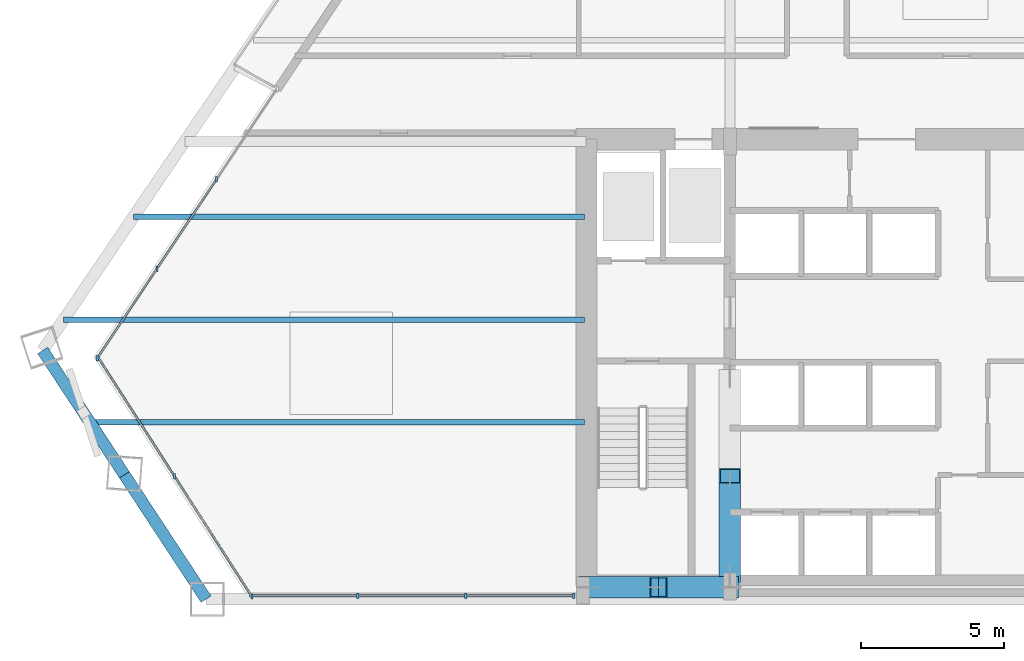
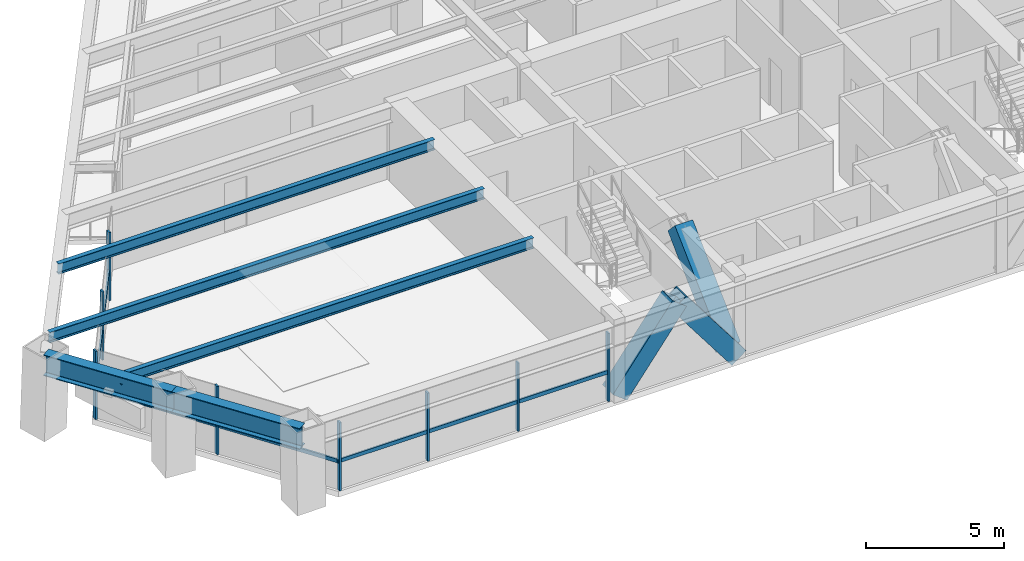
# One storey, part 2 of 15: 18 members, 5 beams, 3 elements without a shape of their own.
"""IFC4 building model written with IfcOpenShell, lengths in metres."""

from ifc_helpers import new_model, si_unit, direction, frame, origin, origin_2d, place, context, subcontext, project, spatial, rectangle, hollow_rectangle, i_section, extrude, source, transform, mapped, material, material_profile, profile_set, type_object, type_shapes, element, aggregate, save


model = new_model("IFC4")

# Units and contexts
model_context = context("Model", 3, precision=1e-05, world=origin(), true_north=direction((0.0, 1.0)))
body_context = subcontext(model_context, "Body", "Model", "MODEL_VIEW")
ifc_project = project(units=[si_unit("LENGTHUNIT", "METRE"), si_unit("AREAUNIT", "SQUARE_METRE"), si_unit("VOLUMEUNIT", "CUBIC_METRE"), si_unit("PLANEANGLEUNIT", "RADIAN"), si_unit("MASSUNIT", "GRAM", prefix="KILO")], contexts=[model_context])

# Site, building, storey
site_placement = place(None, origin())
site = spatial("IfcSite", under=ifc_project, at=site_placement, CompositionType="ELEMENT")
building_placement = place(site_placement, origin())
building = spatial("IfcBuilding", under=site, at=building_placement, Name="Varnakhor Terracotta Tower", CompositionType="ELEMENT")
storey_placement = place(building_placement, frame((0.0, 0.0, 109.89990234375)))
storey = spatial("IfcBuildingStorey", under=building, at=storey_placement, Name="L27", CompositionType="ELEMENT", Elevation=109.89990234375)

# Members
ifc_material_1 = material(Name="Steel S460", Category="steel")
ifc_material_profile_1 = material_profile(ifc_material_1, hollow_rectangle(XDim=0.75, YDim=0.75, WallThickness=0.044921875, at=origin_2d()), Name="HSS750X750X45")
ifc_profile_set_1 = profile_set([ifc_material_profile_1], Name="Steel S460")
member_type_1 = type_object("IfcMemberType", Name="MBR-MEGA-750", PredefinedType="BRACE", material=ifc_profile_set_1)
shared_shape_1 = source(origin(), body_context, "Body", "SweptSolid", [
    extrude(hollow_rectangle(XDim=0.75, YDim=0.75, WallThickness=0.044921875, at=origin_2d()), origin(), (0.0, 0.0, 1.0), 4.14013671875),
])
type_shapes(member_type_1, [shared_shape_1])
for number, where, z_axis, x_axis, name in (
    (1, (-10.5, 0.419921875, 0.0), (0.603852011179, 0.0, 0.797096448741), (0.0, 1.0, 0.0), "L27 Core Coupled Brace CSWA"),
    (2, (-5.5, 0.419921875, 0.0), (-0.603852011179, 0.0, 0.797096448741), (0.0, -1.0, 0.0), "L27 Core Coupled Brace CSWB"),
):
    element("IfcMember", number, at=place(storey_placement, frame(where, z_axis=z_axis, x_axis=x_axis)), inside=storey, type_object=member_type_1, Name=name, PredefinedType="BRACE", context=body_context, shape_type="MappedRepresentation", body=[
        mapped(shared_shape_1, transform((0.0, 0.0, 0.0), scale=1.0)),
    ])
shared_shape_2 = source(origin(), body_context, "Body", "SweptSolid", [
    extrude(hollow_rectangle(XDim=0.75, YDim=0.75, WallThickness=0.044921875, at=origin_2d()), origin(), (0.0, 0.0, 1.0), 4.792236328125),
])
member_1_placement = place(storey_placement, frame((-5.5, 0.85009765625, 0.0), z_axis=(0.0, 0.725110085518, 0.688632967466), x_axis=(-1.0, 0.0, 0.0)))
element("IfcMember", 3, at=member_1_placement, inside=storey, type_object=member_type_1, Name="L27 Core Coupled Brace CWWA", PredefinedType="BRACE", context=body_context, shape_type="MappedRepresentation", body=[
    mapped(shared_shape_2, transform((0.0, 0.0, 0.0), scale=1.0)),
])

# Beams
ifc_material_2 = material(Name="Steel S355", Category="steel")
ifc_material_profile_2 = material_profile(ifc_material_2, i_section(OverallWidth=0.41796875, OverallDepth=0.927001953125, WebThickness=0.01904296875, FlangeThickness=0.031982421875, FilletRadius=0.01806640625, at=origin_2d()), Name="W36X231")
ifc_profile_set_2 = profile_set([ifc_material_profile_2], Name="Steel S355")
beam_type_1 = type_object("IfcBeamType", Name="BM-W36X231", PredefinedType="BEAM", material=ifc_profile_set_2)
shared_shape_3 = source(origin(), body_context, "Body", "SweptSolid", [
    extrude(i_section(OverallWidth=0.41796875, OverallDepth=0.927001953125, WebThickness=0.01904296875, FlangeThickness=0.031982421875, FilletRadius=0.01806640625, at=origin_2d()), origin(), (0.0, 0.0, 1.0), 5.216552734375),
])
beam_1_placement = place(storey_placement, frame((-29.59033203125, 8.71875, 2.986572265625), z_axis=(0.549212440122, -0.835682772119, 0.0), x_axis=(0.835682772119, 0.549212440122, 0.0)))
element("IfcBeam", 4, at=beam_1_placement, inside=storey, type_object=beam_type_1, Name="L27 Perimeter Spandrel 7", PredefinedType="BEAM", context=body_context, shape_type="MappedRepresentation", body=[
    mapped(shared_shape_3, transform((0.0, 0.0, 0.0), scale=1.0)),
])
shared_shape_4 = source(origin(), body_context, "Body", "SweptSolid", [
    extrude(i_section(OverallWidth=0.41796875, OverallDepth=0.927001953125, WebThickness=0.01904296875, FlangeThickness=0.031982421875, FilletRadius=0.01806640625, at=origin_2d()), origin(), (0.0, 0.0, 1.0), 5.216796875),
])
beam_2_placement = place(storey_placement, frame((-26.725341796875, 4.359375, 2.986572265625), z_axis=(0.549245123235, -0.835661291794, 0.0), x_axis=(0.835661291794, 0.549245123235, 0.0)))
element("IfcBeam", 5, at=beam_2_placement, inside=storey, type_object=beam_type_1, Name="L27 Perimeter Spandrel 8", PredefinedType="BEAM", context=body_context, shape_type="MappedRepresentation", body=[
    mapped(shared_shape_4, transform((0.0, 0.0, 0.0), scale=1.0)),
])
ifc_material_profile_3 = material_profile(ifc_material_2, i_section(OverallWidth=0.19189453125, OverallDepth=0.462890625, WebThickness=0.010498046875, FlangeThickness=0.017578125, FilletRadius=0.01806640625, at=origin_2d()), Name="W18X60")
ifc_profile_set_3 = profile_set([ifc_material_profile_3], Name="Steel S355")
beam_type_2 = type_object("IfcBeamType", Name="JST-W18X60", PredefinedType="JOIST", material=ifc_profile_set_3)
shared_shape_5 = source(origin(), body_context, "Body", "SweptSolid", [
    extrude(i_section(OverallWidth=0.19189453125, OverallDepth=0.462890625, WebThickness=0.010498046875, FlangeThickness=0.017578125, FilletRadius=0.01806640625, at=origin_2d()), origin(), (0.0, 0.0, 1.0), 17.3349609375),
])
beam_3_placement = place(storey_placement, frame((-27.93505859375, 6.199951171875, 3.218505859375), z_axis=(1.0, 0.0, 0.0), x_axis=(0.0, 1.0, 0.0)))
element("IfcBeam", 6, at=beam_3_placement, inside=storey, type_object=beam_type_2, Name="L27 Floor Joist W1", PredefinedType="JOIST", context=body_context, shape_type="MappedRepresentation", body=[
    mapped(shared_shape_5, transform((0.0, 0.0, 0.0), scale=1.0)),
])
shared_shape_6 = source(origin(), body_context, "Body", "SweptSolid", [
    extrude(i_section(OverallWidth=0.19189453125, OverallDepth=0.462890625, WebThickness=0.010498046875, FlangeThickness=0.017578125, FilletRadius=0.01806640625, at=origin_2d()), origin(), (0.0, 0.0, 1.0), 18.25537109375),
])
beam_4_placement = place(storey_placement, frame((-28.85546875, 9.800048828125, 3.218505859375), z_axis=(1.0, 0.0, 0.0), x_axis=(0.0, 1.0, 0.0)))
element("IfcBeam", 7, at=beam_4_placement, inside=storey, type_object=beam_type_2, Name="L27 Floor Joist W2", PredefinedType="JOIST", context=body_context, shape_type="MappedRepresentation", body=[
    mapped(shared_shape_6, transform((0.0, 0.0, 0.0), scale=1.0)),
])
shared_shape_7 = source(origin(), body_context, "Body", "SweptSolid", [
    extrude(i_section(OverallWidth=0.19189453125, OverallDepth=0.462890625, WebThickness=0.010498046875, FlangeThickness=0.017578125, FilletRadius=0.01806640625, at=origin_2d()), origin(), (0.0, 0.0, 1.0), 15.80859375),
])
beam_5_placement = place(storey_placement, frame((-26.40869140625, 13.39990234375, 3.218505859375), z_axis=(1.0, 0.0, 0.0), x_axis=(0.0, 1.0, 0.0)))
element("IfcBeam", 8, at=beam_5_placement, inside=storey, type_object=beam_type_2, Name="L27 Floor Joist W3", PredefinedType="JOIST", context=body_context, shape_type="MappedRepresentation", body=[
    mapped(shared_shape_7, transform((0.0, 0.0, 0.0), scale=1.0)),
])

# Curtain wall, members
ifc_material_3 = material(Name="Anodised Aluminium Curtain Wall System", Category="aluminium")
curtain_wall_type = type_object("IfcCurtainWallType", Name="CW-SYS-LOW-OFFICE", PredefinedType="NOTDEFINED", material=ifc_material_3)
curtain_wall_1_placement = place(storey_placement, origin())
curtain_wall_1 = element("IfcCurtainWall", 9, at=curtain_wall_1_placement, inside=storey, type_object=curtain_wall_type, Name="L27 W Facet Curtain Wall 1", PredefinedType="NOTDEFINED")
ifc_material_4 = material(Name="Anodised Aluminium 6063-T6", Category="aluminium")
ifc_material_profile_4 = material_profile(ifc_material_4, rectangle(XDim=0.074951171875, YDim=0.18505859375, at=origin_2d()), Name="ALU MULLION 75x185")
ifc_profile_set_4 = profile_set([ifc_material_profile_4], Name="Anodised Aluminium 6063-T6")
member_type_2 = type_object("IfcMemberType", Name="CWM-02", PredefinedType="MULLION", material=ifc_profile_set_4)
shared_shape_8 = source(origin(), body_context, "Body", "SweptSolid", [
    extrude(rectangle(XDim=0.074951171875, YDim=0.18505859375, at=origin_2d()), origin(), (0.0, 0.0, 1.0), 3.030029296875),
])
type_shapes(member_type_2, [shared_shape_8])
member_2_placement = place(storey_placement, frame((-27.6787109375, 8.44287109375, 0.0), z_axis=(0.0, 0.0, 1.0), x_axis=(1.0, 0.0, 0.0)))
member_2 = element("IfcMember", 10, at=member_2_placement, type_object=member_type_2, Name="L27 W Facet Curtain Wall 1 Mullion 1", PredefinedType="MULLION", context=body_context, shape_type="MappedRepresentation", body=[
    mapped(shared_shape_8, transform((0.0, 0.0, 0.0), scale=1.0)),
])
member_3_placement = place(storey_placement, frame((-25.58447265625, 11.58349609375, 0.0), z_axis=(0.0, 0.0, 1.0), x_axis=(1.0, 0.0, 0.0)))
member_3 = element("IfcMember", 11, at=member_3_placement, type_object=member_type_2, Name="L27 W Facet Curtain Wall 1 Mullion 2", PredefinedType="MULLION", context=body_context, shape_type="MappedRepresentation", body=[
    mapped(shared_shape_8, transform((0.0, 0.0, 0.0), scale=1.0)),
])
member_4_placement = place(storey_placement, frame((-23.490234375, 14.72412109375, 0.0), z_axis=(0.0, 0.0, 1.0), x_axis=(1.0, 0.0, 0.0)))
member_4 = element("IfcMember", 12, at=member_4_placement, type_object=member_type_2, Name="L27 W Facet Curtain Wall 1 Mullion 3", PredefinedType="MULLION", context=body_context, shape_type="MappedRepresentation", body=[
    mapped(shared_shape_8, transform((0.0, 0.0, 0.0), scale=1.0)),
])

curtain_wall_2_placement = place(storey_placement, origin())
curtain_wall_2 = element("IfcCurtainWall", 13, at=curtain_wall_2_placement, inside=storey, type_object=curtain_wall_type, Name="L27 South Wing Curtain Wall SSW", PredefinedType="NOTDEFINED")
member_5_placement = place(storey_placement, frame((-10.969970703125, 0.1201171875, 0.0), z_axis=(0.0, 0.0, 1.0), x_axis=(1.0, 0.0, 0.0)))
member_5 = element("IfcMember", 14, at=member_5_placement, type_object=member_type_2, Name="L27 South Wing Curtain Wall SSW Mullion 1", PredefinedType="MULLION", context=body_context, shape_type="MappedRepresentation", body=[
    mapped(shared_shape_8, transform((0.0, 0.0, 0.0), scale=1.0)),
])
member_6_placement = place(storey_placement, frame((-14.75732421875, 0.1201171875, 0.0), z_axis=(0.0, 0.0, 1.0), x_axis=(1.0, 0.0, 0.0)))
member_6 = element("IfcMember", 15, at=member_6_placement, type_object=member_type_2, Name="L27 South Wing Curtain Wall SSW Mullion 2", PredefinedType="MULLION", context=body_context, shape_type="MappedRepresentation", body=[
    mapped(shared_shape_8, transform((0.0, 0.0, 0.0), scale=1.0)),
])
member_7_placement = place(storey_placement, frame((-18.544677734375, 0.1201171875, 0.0), z_axis=(0.0, 0.0, 1.0), x_axis=(1.0, 0.0, 0.0)))
member_7 = element("IfcMember", 16, at=member_7_placement, type_object=member_type_2, Name="L27 South Wing Curtain Wall SSW Mullion 3", PredefinedType="MULLION", context=body_context, shape_type="MappedRepresentation", body=[
    mapped(shared_shape_8, transform((0.0, 0.0, 0.0), scale=1.0)),
])

curtain_wall_3_placement = place(storey_placement, origin())
curtain_wall_3 = element("IfcCurtainWall", 17, at=curtain_wall_3_placement, inside=storey, type_object=curtain_wall_type, Name="L27 Facet Curtain Wall 6", PredefinedType="NOTDEFINED")
member_8_placement = place(storey_placement, frame((-22.25732421875, 0.090087890625, 0.0), z_axis=(0.0, 0.0, 1.0), x_axis=(1.0, 0.0, 0.0)))
member_8 = element("IfcMember", 18, at=member_8_placement, type_object=member_type_2, Name="L27 Facet Curtain Wall 6 Mullion 1", PredefinedType="MULLION", context=body_context, shape_type="MappedRepresentation", body=[
    mapped(shared_shape_8, transform((0.0, 0.0, 0.0), scale=1.0)),
])
member_9_placement = place(storey_placement, frame((-24.9677734375, 4.30712890625, 0.0), z_axis=(0.0, 0.0, 1.0), x_axis=(1.0, 0.0, 0.0)))
member_9 = element("IfcMember", 19, at=member_9_placement, type_object=member_type_2, Name="L27 Facet Curtain Wall 6 Mullion 2", PredefinedType="MULLION", context=body_context, shape_type="MappedRepresentation", body=[
    mapped(shared_shape_8, transform((0.0, 0.0, 0.0), scale=1.0)),
])

# Member
ifc_material_profile_5 = material_profile(ifc_material_4, rectangle(XDim=0.074951171875, YDim=0.1650390625, at=origin_2d()), Name="ALU TRANSOM 75x165")
ifc_profile_set_5 = profile_set([ifc_material_profile_5], Name="Anodised Aluminium 6063-T6")
member_type_3 = type_object("IfcMemberType", Name="CWT-02", PredefinedType="USERDEFINED", material=ifc_profile_set_5)
shared_shape_9 = source(origin(), body_context, "Body", "SweptSolid", [
    extrude(rectangle(XDim=0.074951171875, YDim=0.1650390625, at=origin_2d()), origin(), (0.0, 0.0, 1.0), 3.77490234375),
])
member_10_placement = place(storey_placement, frame((-27.6787109375, 8.44287109375, 1.272705078125), z_axis=(0.554789744238, 0.831990588702, 0.0), x_axis=(-0.831990588702, 0.554789744238, 0.0)))
member_10 = element("IfcMember", 20, at=member_10_placement, type_object=member_type_3, Name="L27 W Facet Curtain Wall 1 Transom 1", ObjectType="TRANSOM", PredefinedType="USERDEFINED", context=body_context, shape_type="MappedRepresentation", body=[
    mapped(shared_shape_9, transform((0.0, 0.0, 0.0), scale=1.0)),
])

member_11_placement = place(storey_placement, frame((-25.58447265625, 11.58349609375, 1.272705078125), z_axis=(0.554789744238, 0.831990588702, 0.0), x_axis=(-0.831990588702, 0.554789744238, 0.0)))
member_11 = element("IfcMember", 21, at=member_11_placement, type_object=member_type_3, Name="L27 W Facet Curtain Wall 1 Transom 2", ObjectType="TRANSOM", PredefinedType="USERDEFINED", context=body_context, shape_type="MappedRepresentation", body=[
    mapped(shared_shape_9, transform((0.0, 0.0, 0.0), scale=1.0)),
])

aggregate(curtain_wall_1, [member_2, member_10, member_3, member_11, member_4])

shared_shape_10 = source(origin(), body_context, "Body", "SweptSolid", [
    extrude(rectangle(XDim=0.074951171875, YDim=0.1650390625, at=origin_2d()), origin(), (0.0, 0.0, 1.0), 3.787353515625),
])
member_12_placement = place(storey_placement, frame((-10.969970703125, 0.1201171875, 1.272705078125), z_axis=(-1.0, 0.0, 0.0), x_axis=(0.0, -1.0, 0.0)))
member_12 = element("IfcMember", 22, at=member_12_placement, type_object=member_type_3, Name="L27 South Wing Curtain Wall SSW Transom 1", ObjectType="TRANSOM", PredefinedType="USERDEFINED", context=body_context, shape_type="MappedRepresentation", body=[
    mapped(shared_shape_10, transform((0.0, 0.0, 0.0), scale=1.0)),
])

member_13_placement = place(storey_placement, frame((-14.75732421875, 0.1201171875, 1.272705078125), z_axis=(-1.0, 0.0, 0.0), x_axis=(0.0, -1.0, 0.0)))
member_13 = element("IfcMember", 23, at=member_13_placement, type_object=member_type_3, Name="L27 South Wing Curtain Wall SSW Transom 2", ObjectType="TRANSOM", PredefinedType="USERDEFINED", context=body_context, shape_type="MappedRepresentation", body=[
    mapped(shared_shape_10, transform((0.0, 0.0, 0.0), scale=1.0)),
])

member_14_placement = place(storey_placement, frame((-18.544677734375, 0.1201171875, 1.272705078125), z_axis=(-1.0, 0.0, 0.0), x_axis=(0.0, -1.0, 0.0)))
member_14 = element("IfcMember", 24, at=member_14_placement, type_object=member_type_3, Name="L27 South Wing Curtain Wall SSW Transom 3", ObjectType="TRANSOM", PredefinedType="USERDEFINED", context=body_context, shape_type="MappedRepresentation", body=[
    mapped(shared_shape_10, transform((0.0, 0.0, 0.0), scale=1.0)),
])

aggregate(curtain_wall_2, [member_5, member_12, member_6, member_13, member_7, member_14])

shared_shape_11 = source(origin(), body_context, "Body", "SweptSolid", [
    extrude(rectangle(XDim=0.074951171875, YDim=0.1650390625, at=origin_2d()), origin(), (0.0, 0.0, 1.0), 5.012939453125),
])
member_15_placement = place(storey_placement, frame((-22.25732421875, 0.090087890625, 1.272705078125), z_axis=(-0.5406862071, 0.841224360948, 0.0), x_axis=(-0.841224360948, -0.5406862071, 0.0)))
member_15 = element("IfcMember", 25, at=member_15_placement, type_object=member_type_3, Name="L27 Facet Curtain Wall 6 Transom 1", ObjectType="TRANSOM", PredefinedType="USERDEFINED", context=body_context, shape_type="MappedRepresentation", body=[
    mapped(shared_shape_11, transform((0.0, 0.0, 0.0), scale=1.0)),
])

member_16_placement = place(storey_placement, frame((-24.9677734375, 4.30712890625, 1.272705078125), z_axis=(-0.540651741575, 0.841246512226, 0.0), x_axis=(-0.841246512226, -0.540651741575, 0.0)))
member_16 = element("IfcMember", 26, at=member_16_placement, type_object=member_type_3, Name="L27 Facet Curtain Wall 6 Transom 2", ObjectType="TRANSOM", PredefinedType="USERDEFINED", context=body_context, shape_type="MappedRepresentation", body=[
    mapped(shared_shape_11, transform((0.0, 0.0, 0.0), scale=1.0)),
])

aggregate(curtain_wall_3, [member_8, member_15, member_9, member_16])

save(model, "model.ifc")
